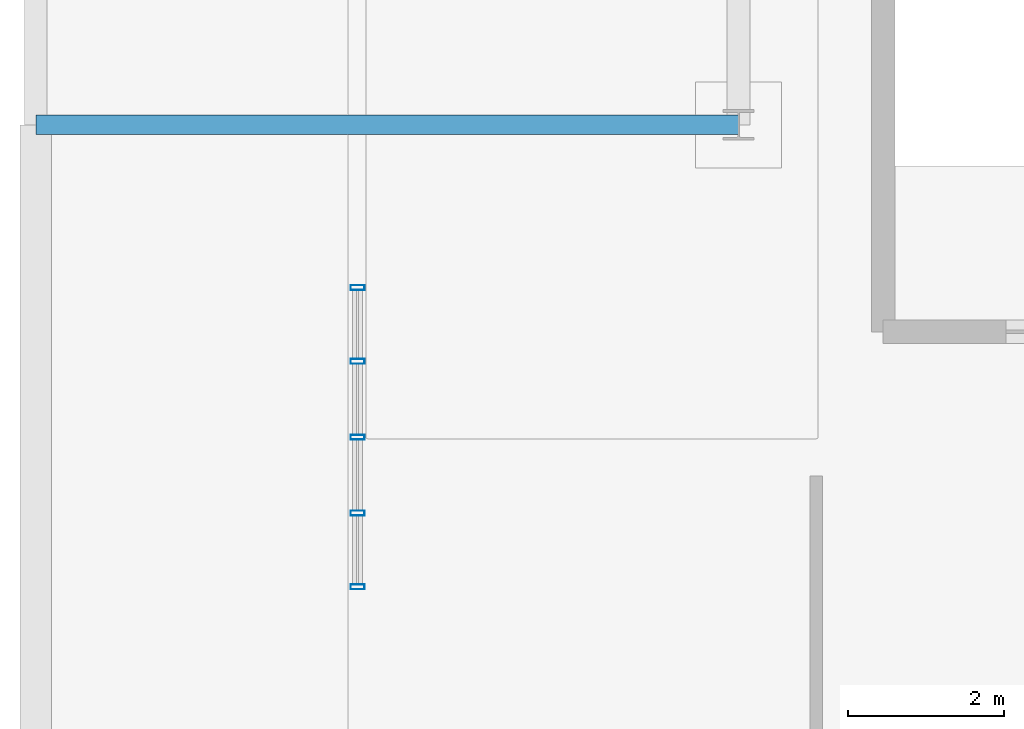
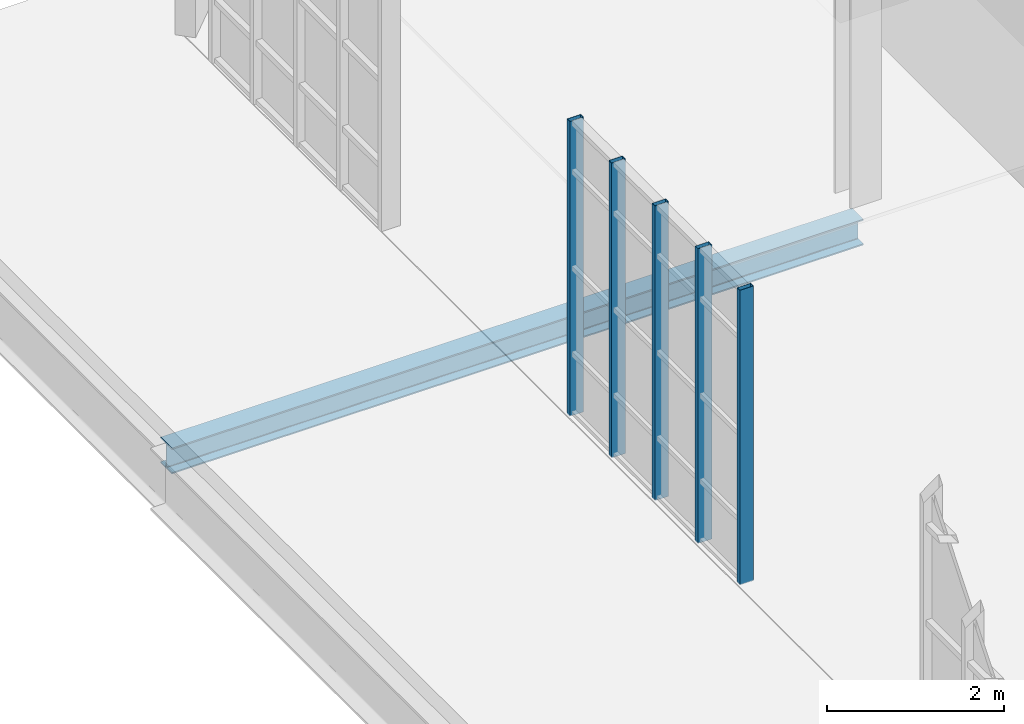
# One storey, part 16 of 36: 5 members, 1 beam, 1 element without a shape of its own.
"""IFC4 building model written with IfcOpenShell, lengths in metres."""

import ifcopenshell
import ifcopenshell.guid

model = None  # the IFC model being written
_history = None  # IfcOwnerHistory: only IFC2X3 demands one
_inside = {}  # id of a spatial element -> (the spatial element, [elements in it])
_under = {}  # id of a project, library or spatial element -> (it, [spatial elements below it])
_declared = {}  # id of a project -> (the project, [libraries it declares])
_typed = {}  # id of a type object -> (the type object, [elements of that type])
_made_of = {}  # id of a material, layer set ... -> (it, [elements and type objects made of it])


def new_model(schema):
    """Start an empty IFC model of exactly this schema.

    Asked for "IFC4X3", IfcOpenShell would pick the latest addendum, in which some entities
    have other attributes; the version numbers below select the first issue.
    IFC2X3 requires an IfcOwnerHistory on every rooted entity: one is made here for all.
    """
    global model, _history
    if schema == "IFC4X3":
        model = ifcopenshell.file(schema_version=(4, 3, 0, 0))
    else:
        model = ifcopenshell.file(schema=schema)
    _inside.clear()
    _under.clear()
    _declared.clear()
    _typed.clear()
    _made_of.clear()
    _history = None
    if model.schema == "IFC2X3":
        org = make("IfcOrganization", Name="unknown")
        user = make(
            "IfcPersonAndOrganization",
            ThePerson=make("IfcPerson", FamilyName="unknown"),
            TheOrganization=org,
        )
        app = make(
            "IfcApplication",
            ApplicationDeveloper=org,
            Version="unknown",
            ApplicationFullName="unknown",
            ApplicationIdentifier="unknown",
        )
        _history = make(
            "IfcOwnerHistory",
            OwningUser=user,
            OwningApplication=app,
            ChangeAction="ADDED",
            CreationDate=0,
        )
    return model


def make(cls, **values):
    """One entity of the class cls with the attributes given. An attribute that is None is left unset."""
    return model.create_entity(
        cls, **{name: value for name, value in values.items() if value is not None}
    )


def rooted(cls, **values):
    """An entity with a GlobalId (a new one), such as an element, a storey or a relation."""
    return make(cls, GlobalId=ifcopenshell.guid.new(), OwnerHistory=_history, **values)


def si_unit(unit_type, name, prefix=None):
    """IfcSIUnit, for example si_unit("LENGTHUNIT", "METRE", prefix="MILLI")."""
    return make("IfcSIUnit", UnitType=unit_type, Prefix=prefix, Name=name)


def assignment(units):
    """IfcUnitAssignment: the units of a project."""
    return None if units is None else make("IfcUnitAssignment", Units=units)


def point(xyz):
    """IfcCartesianPoint."""
    return None if xyz is None else make("IfcCartesianPoint", Coordinates=xyz)


def direction(xyz):
    """IfcDirection."""
    return None if xyz is None else make("IfcDirection", DirectionRatios=xyz)


def frame(location, z_axis=None, x_axis=None):
    """IfcAxis2Placement3D, a coordinate frame: its origin and axes. An axis left out is left unset."""
    return make(
        "IfcAxis2Placement3D",
        Location=point(location),
        Axis=direction(z_axis),
        RefDirection=direction(x_axis),
    )


def frame_2d(location, x_axis=None):
    """IfcAxis2Placement2D, a coordinate frame in the plane: its origin and x axis."""
    return make(
        "IfcAxis2Placement2D", Location=point(location), RefDirection=direction(x_axis)
    )


def origin():
    """The frame at (0, 0, 0) with its axes left unset."""
    return frame((0.0, 0.0, 0.0))


def origin_2d():
    """The frame at (0, 0) in the plane with its x axis left unset."""
    return frame_2d((0.0, 0.0))


def place(relative_to, where):
    """IfcLocalPlacement: puts the frame where relative to a parent placement (None: the world)."""
    return make(
        "IfcLocalPlacement", PlacementRelTo=relative_to, RelativePlacement=where
    )


def context(
    kind, dimensions, precision=None, world=None, true_north=None, identifier=None
):
    """IfcGeometricRepresentationContext, for example the 3D "Model" context."""
    return make(
        "IfcGeometricRepresentationContext",
        ContextIdentifier=identifier,
        ContextType=kind,
        CoordinateSpaceDimension=dimensions,
        Precision=precision,
        WorldCoordinateSystem=world,
        TrueNorth=true_north,
    )


def subcontext(parent, identifier, kind, view, scale=None):
    """IfcGeometricRepresentationSubContext, for example "Body" below "Model"."""
    return make(
        "IfcGeometricRepresentationSubContext",
        ContextIdentifier=identifier,
        ContextType=kind,
        ParentContext=parent,
        TargetScale=scale,
        TargetView=view,
    )


def project(units=None, contexts=None):
    """IfcProject with its units and contexts."""
    return rooted(
        "IfcProject",
        Name="project",
        RepresentationContexts=contexts,
        UnitsInContext=assignment(units),
    )


def spatial(cls, under=None, at=None, **own):
    """A site, building, storey or space (cls), placed at a placement, below another one or the project."""
    s = rooted(cls, ObjectPlacement=at, **own)
    if under is not None:
        _under.setdefault(under.id(), (under, []))[1].append(s)
    return s


def profile(cls, at=None, kind="AREA", **sizes):
    """A parametric profile (cls). Its sizes go by their IFC names, for example OverallWidth=200.0."""
    return make(cls, ProfileType=kind, Position=at, **sizes)


def hollow_rectangle(**sizes):
    """IfcRectangleHollowProfileDef."""
    return profile("IfcRectangleHollowProfileDef", **sizes)


def i_section(**sizes):
    """IfcIShapeProfileDef."""
    return profile("IfcIShapeProfileDef", **sizes)


def extrude(swept, where, along, depth):
    """IfcExtrudedAreaSolid: the profile swept, set in the frame where, extruded along a direction by depth."""
    return make(
        "IfcExtrudedAreaSolid",
        SweptArea=swept,
        Position=where,
        ExtrudedDirection=direction(along),
        Depth=depth,
    )


def shape(context_of_items, identifier, shape_type, items):
    """IfcShapeRepresentation: the items that make up one representation, for example the "Body"."""
    return make(
        "IfcShapeRepresentation",
        ContextOfItems=context_of_items,
        RepresentationIdentifier=identifier,
        RepresentationType=shape_type,
        Items=items,
    )


def material(Name=None, Category=None):
    """IfcMaterial."""
    return make("IfcMaterial", Name=Name, Category=Category)


def layer(
    of_material, thickness, ventilated=None, Name=None, Category=None, Priority=None
):
    """IfcMaterialLayer: one layer of a wall or slab, of a material (None: an air gap)."""
    return make(
        "IfcMaterialLayer",
        Material=of_material,
        LayerThickness=thickness,
        IsVentilated=ventilated,
        Name=Name,
        Category=Category,
        Priority=Priority,
    )


def layer_set(layers, Name=None):
    """IfcMaterialLayerSet."""
    return make("IfcMaterialLayerSet", MaterialLayers=layers, LayerSetName=Name)


def material_profile(
    of_material, cross_section, Name=None, Category=None, Priority=None
):
    """IfcMaterialProfile: a cross section and its material."""
    return make(
        "IfcMaterialProfile",
        Name=Name,
        Material=of_material,
        Profile=cross_section,
        Priority=Priority,
        Category=Category,
    )


def profile_set(profiles, Name=None, composite=None):
    """IfcMaterialProfileSet."""
    return make(
        "IfcMaterialProfileSet",
        Name=Name,
        MaterialProfiles=profiles,
        CompositeProfile=composite,
    )


def made_of(thing, what):
    """Note that an element or type object is made of a material, layer set ...; save() writes the relation."""
    if what is not None:
        _made_of.setdefault(what.id(), (what, []))[1].append(thing)
    return thing


def type_object(cls, material=None, **own):
    """A type object (cls), such as IfcWallType, which elements share."""
    return made_of(rooted(cls, **own), material)


def element(
    cls,
    number,
    at=None,
    inside=None,
    cuts=None,
    type_object=None,
    material=None,
    context=None,
    identifier="Body",
    shape_type=None,
    held_by="IfcProductDefinitionShape",
    body=None,
    shapes=None,
    **own,
):
    """One element of the class cls, such as IfcWall. Its Tag is "e" and its number.

    at: its placement. inside: the storey or other place that contains it. cuts: it is an
    opening in that element (IfcRelVoidsElement). A single representation is given by context,
    identifier, shape_type and body (its items); several are given by shapes. held_by: the class
    of the entity that holds the representations. save() writes the other relations.
    """
    e = rooted(cls, Tag="e%d" % number, ObjectPlacement=at, **own)
    if body is not None:
        shapes = [shape(context, identifier, shape_type, body)]
    if shapes is not None:
        e.Representation = make(held_by, Representations=shapes)
    if inside is not None:
        _inside.setdefault(inside.id(), (inside, []))[1].append(e)
    if cuts is not None:
        rooted(
            "IfcRelVoidsElement", RelatingBuildingElement=cuts, RelatedOpeningElement=e
        )
    if type_object is not None:
        _typed.setdefault(type_object.id(), (type_object, []))[1].append(e)
    return made_of(e, material)


def aggregate(whole, parts):
    """IfcRelAggregates: a whole, such as a stair, and the parts it consists of."""
    return rooted("IfcRelAggregates", RelatingObject=whole, RelatedObjects=parts)


def save(model, path):
    """Write the relations noted so far, then the file.

    IfcRelAggregates (storeys below a building ...), IfcRelContainedInSpatialStructure (elements
    in a storey), IfcRelDefinesByType, IfcRelAssociatesMaterial and IfcRelDeclares: one each for
    every whole, place, type object, material and project.
    """
    for whole, parts in _under.values():
        aggregate(whole, parts)
    for where, things in _inside.values():
        rooted(
            "IfcRelContainedInSpatialStructure",
            RelatedElements=things,
            RelatingStructure=where,
        )
    for kind, things in _typed.values():
        rooted("IfcRelDefinesByType", RelatedObjects=things, RelatingType=kind)
    for what, things in _made_of.values():
        rooted("IfcRelAssociatesMaterial", RelatedObjects=things, RelatingMaterial=what)
    for by, libraries in _declared.values():
        rooted("IfcRelDeclares", RelatingContext=by, RelatedDefinitions=libraries)
    model.write(path)


model = new_model("IFC4")

# Units and contexts
model_context = context("Model", 3, precision=1e-05, world=origin(), true_north=direction((0.0, 1.0)))
body_context = subcontext(model_context, "Body", "Model", "MODEL_VIEW")
ifc_project = project(units=[si_unit("LENGTHUNIT", "METRE"), si_unit("AREAUNIT", "SQUARE_METRE"), si_unit("VOLUMEUNIT", "CUBIC_METRE"), si_unit("PLANEANGLEUNIT", "RADIAN"), si_unit("MASSUNIT", "GRAM", prefix="KILO"), si_unit("THERMODYNAMICTEMPERATUREUNIT", "KELVIN"), si_unit("POWERUNIT", "WATT")], contexts=[model_context])

# Site, building, storey
site_placement = place(None, origin())
site = spatial("IfcSite", under=ifc_project, at=site_placement, CompositionType="ELEMENT")
building_placement = place(site_placement, origin())
building = spatial("IfcBuilding", under=site, at=building_placement, Name="Zelmaris Science Centre", CompositionType="ELEMENT")
storey_placement = place(building_placement, frame((0.0, 0.0, 25.199951171875)))
storey = spatial("IfcBuildingStorey", under=building, at=storey_placement, Name="L05", CompositionType="ELEMENT", Elevation=25.199951171875)

# Curtain wall, members
ifc_material_1 = material(Name="Anodised architectural aluminium 6063-T6", Category="aluminium")
ifc_layer = layer(ifc_material_1, 0.2099609375, Name="Anodised architectural aluminium 6063-T6")
ifc_layer_set = layer_set([ifc_layer], Name="Anodised architectural aluminium 6063-T6")
curtain_wall_type = type_object("IfcCurtainWallType", Name="Curtain Wall CW-03", PredefinedType="USERDEFINED", material=ifc_layer_set)
curtain_wall_placement = place(storey_placement, origin())
curtain_wall = element("IfcCurtainWall", 1, at=curtain_wall_placement, inside=storey, type_object=curtain_wall_type, Name="L05 Unitised curtain wall 379", ObjectType="GLAZED CURTAIN WALL", PredefinedType="USERDEFINED")
ifc_material_profile_1 = material_profile(ifc_material_1, hollow_rectangle(XDim=0.06494140625, YDim=0.179931640625, WallThickness=0.00390625, at=origin_2d()), Name="ALU-MUL-65X180")
ifc_profile_set_1 = profile_set([ifc_material_profile_1], Name="Anodised architectural aluminium 6063-T6")
member_type = type_object("IfcMemberType", Name="ALU-MUL-65X180", PredefinedType="MULLION", material=ifc_profile_set_1)
member_1_placement = place(storey_placement, frame((58.1201171875, 74.083984375, -0.014892578125), z_axis=(0.0, 0.0, 1.0), x_axis=(-3.490659e-06, 0.999999999994, 0.0)))
member_1 = element("IfcMember", 2, at=member_1_placement, type_object=member_type, Name="CW-03 mullion 1", PredefinedType="MULLION", context=body_context, shape_type="SweptSolid", body=[
    extrude(hollow_rectangle(XDim=0.06494140625, YDim=0.179931640625, WallThickness=0.00390625, at=origin_2d()), origin(), (0.0, 0.0, 1.0), 4.054931640625),
])
member_2_placement = place(storey_placement, frame((58.1201171875, 75.02734375, -0.014892578125), z_axis=(0.0, 0.0, 1.0), x_axis=(-3.490659e-06, 0.999999999994, 0.0)))
member_2 = element("IfcMember", 3, at=member_2_placement, type_object=member_type, Name="CW-03 mullion 2", PredefinedType="MULLION", context=body_context, shape_type="SweptSolid", body=[
    extrude(hollow_rectangle(XDim=0.06494140625, YDim=0.179931640625, WallThickness=0.00390625, at=origin_2d()), origin(), (0.0, 0.0, 1.0), 4.054931640625),
])
member_3_placement = place(storey_placement, frame((58.1201171875, 75.999267578125, -0.014892578125), z_axis=(0.0, 0.0, 1.0), x_axis=(-3.490659e-06, 0.999999999994, 0.0)))
member_3 = element("IfcMember", 4, at=member_3_placement, type_object=member_type, Name="CW-03 mullion 3", PredefinedType="MULLION", context=body_context, shape_type="SweptSolid", body=[
    extrude(hollow_rectangle(XDim=0.06494140625, YDim=0.179931640625, WallThickness=0.00390625, at=origin_2d()), origin(), (0.0, 0.0, 1.0), 4.054931640625),
])
member_4_placement = place(storey_placement, frame((58.1201171875, 76.97119140625, -0.014892578125), z_axis=(0.0, 0.0, 1.0), x_axis=(-3.490659e-06, 0.999999999994, 0.0)))
member_4 = element("IfcMember", 5, at=member_4_placement, type_object=member_type, Name="CW-03 mullion 4", PredefinedType="MULLION", context=body_context, shape_type="SweptSolid", body=[
    extrude(hollow_rectangle(XDim=0.06494140625, YDim=0.179931640625, WallThickness=0.00390625, at=origin_2d()), origin(), (0.0, 0.0, 1.0), 4.054931640625),
])
member_5_placement = place(storey_placement, frame((58.1201171875, 77.91455078125, -0.014892578125), z_axis=(0.0, 0.0, 1.0), x_axis=(-3.490659e-06, 0.999999999994, 0.0)))
member_5 = element("IfcMember", 6, at=member_5_placement, type_object=member_type, Name="CW-03 mullion 5", PredefinedType="MULLION", context=body_context, shape_type="SweptSolid", body=[
    extrude(hollow_rectangle(XDim=0.06494140625, YDim=0.179931640625, WallThickness=0.00390625, at=origin_2d()), origin(), (0.0, 0.0, 1.0), 4.054931640625),
])
aggregate(curtain_wall, [member_1, member_2, member_3, member_4, member_5])

# Beam
ifc_material_2 = material(Name="Steel ASTM A992 Grade 50", Category="steel")
ifc_material_profile_2 = material_profile(ifc_material_2, i_section(OverallWidth=0.25390625, OverallDepth=0.35595703125, WebThickness=0.010498046875, FlangeThickness=0.018310546875, FilletRadius=0.014892578125, at=origin_2d()), Name="W14X68")
ifc_profile_set_2 = profile_set([ifc_material_profile_2], Name="Steel ASTM A992 Grade 50")
beam_type = type_object("IfcBeamType", Name="Beam G-41 W14X68", PredefinedType="BEAM", material=ifc_profile_set_2)
beam_placement = place(storey_placement, frame((54.0, 80.0, -0.427978515625), z_axis=(1.0, 0.0, 0.0), x_axis=(0.0, 1.0, 0.0)))
element("IfcBeam", 7, at=beam_placement, inside=storey, type_object=beam_type, Name="L05 East-west girder 929", PredefinedType="BEAM", context=body_context, shape_type="SweptSolid", body=[
    extrude(i_section(OverallWidth=0.25390625, OverallDepth=0.35595703125, WebThickness=0.010498046875, FlangeThickness=0.018310546875, FilletRadius=0.014892578125, at=origin_2d()), origin(), (0.0, 0.0, 1.0), 9.0),
])

save(model, "model.ifc")
